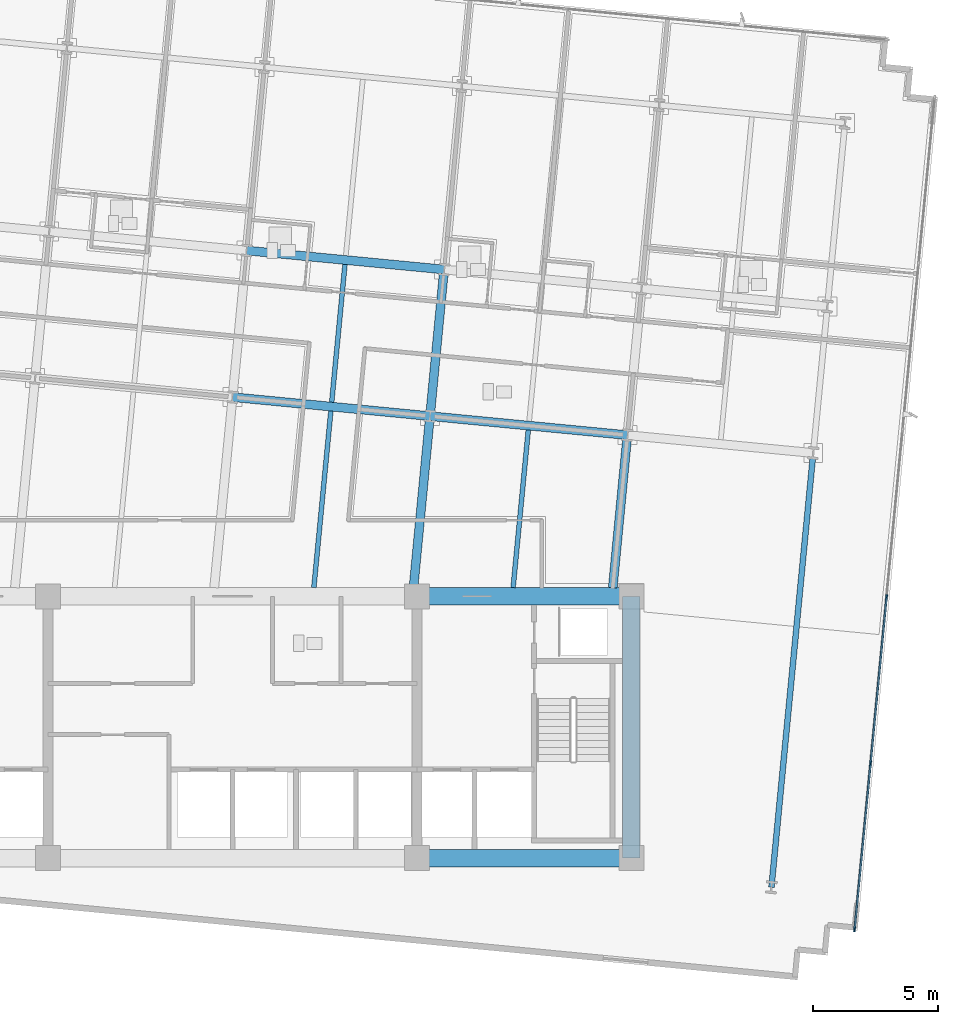
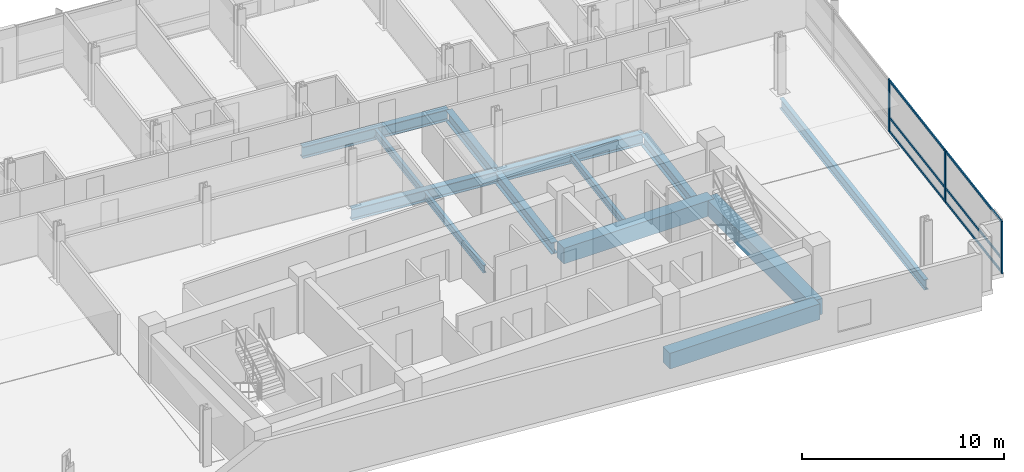
# One storey, part 5 of 17: 13 beams, 9 members, 1 element without a shape of its own.
"""IFC4 building model written with IfcOpenShell, lengths in metres."""

from ifc_helpers import new_model, si_unit, direction, frame, origin, origin_2d, place, context, subcontext, project, spatial, rectangle, i_section, extrude, material, material_profile, profile_set, type_object, element, aggregate, save


model = new_model("IFC4")

# Units and contexts
model_context = context("Model", 3, precision=1e-05, world=origin(), true_north=direction((0.0, 1.0)))
body_context = subcontext(model_context, "Body", "Model", "MODEL_VIEW")
ifc_project = project(units=[si_unit("LENGTHUNIT", "METRE"), si_unit("AREAUNIT", "SQUARE_METRE"), si_unit("VOLUMEUNIT", "CUBIC_METRE"), si_unit("PLANEANGLEUNIT", "RADIAN"), si_unit("MASSUNIT", "GRAM", prefix="KILO")], contexts=[model_context])

# Site, building, storey
site_placement = place(None, origin())
site = spatial("IfcSite", under=ifc_project, at=site_placement, CompositionType="ELEMENT")
building_placement = place(site_placement, origin())
building = spatial("IfcBuilding", under=site, at=building_placement, Name="Solmavex Isthmus Hotel", CompositionType="ELEMENT")
storey_placement = place(building_placement, frame((0.0, 0.0, 146.25)))
storey = spatial("IfcBuildingStorey", under=building, at=storey_placement, Name="L39", CompositionType="ELEMENT", Elevation=146.25)

# Beams
ifc_material_1 = material(Name="Steel ASTM A992 Grade 50", Category="steel")
ifc_material_profile_1 = material_profile(ifc_material_1, i_section(OverallWidth=0.354736328125, OverallDepth=0.695556640625, WebThickness=0.015380859375, FlangeThickness=0.02490234375, FilletRadius=0.017822265625, at=origin_2d()), Name="W27X146")
ifc_profile_set_1 = profile_set([ifc_material_profile_1], Name="Steel ASTM A992 Grade 50")
beam_type_1 = type_object("IfcBeamType", Name="BM-BG-W27X146", PredefinedType="BEAM", material=ifc_profile_set_1)
for number, where, z_axis, x_axis, name in (
    (1, (0.001220703125, 5.490234375, -0.607666015625), (0.995397440011, -0.095832856685, 0.0), (0.095832856685, 0.995397440011, 0.0), "Floor Girder L39-UG06"),
    (2, (7.920654296875, 4.727783203125, -0.607666015625), (0.995397440011, -0.095832856685, 0.0), (0.095832856685, 0.995397440011, 0.0), "Floor Girder L39-UG07"),
):
    element("IfcBeam", number, at=place(storey_placement, frame(where, z_axis=z_axis, x_axis=x_axis)), inside=storey, type_object=beam_type_1, Name=name, PredefinedType="BEAM", context=body_context, shape_type="SweptSolid", body=[
        extrude(i_section(OverallWidth=0.354736328125, OverallDepth=0.695556640625, WebThickness=0.015380859375, FlangeThickness=0.02490234375, FilletRadius=0.017822265625, at=origin_2d()), origin(), (0.0, 0.0, 1.0), 7.9560546875),
    ])
beam_1_placement = place(storey_placement, frame((0.567626953125, 11.37109375, -0.607666015625), z_axis=(0.995397158178, -0.095835783981, 0.0), x_axis=(0.095835783981, 0.995397158178, 0.0)))
element("IfcBeam", 3, at=beam_1_placement, inside=storey, type_object=beam_type_1, Name="Floor Girder L39-UG12", PredefinedType="BEAM", context=body_context, shape_type="SweptSolid", body=[
    extrude(i_section(OverallWidth=0.354736328125, OverallDepth=0.695556640625, WebThickness=0.015380859375, FlangeThickness=0.02490234375, FilletRadius=0.017822265625, at=origin_2d()), origin(), (0.0, 0.0, 1.0), 7.955810546875),
])
beam_2_placement = place(storey_placement, frame((7.25830078125, -2.14990234375, -0.607666015625), z_axis=(0.095847843924, 0.995395996986, 0.0), x_axis=(-0.995395996986, 0.095847843924, 0.0)))
element("IfcBeam", 4, at=beam_2_placement, inside=storey, type_object=beam_type_1, Name="Floor Beam L39-VG33", PredefinedType="BEAM", context=body_context, shape_type="SweptSolid", body=[
    extrude(i_section(OverallWidth=0.354736328125, OverallDepth=0.695556640625, WebThickness=0.015380859375, FlangeThickness=0.02490234375, FilletRadius=0.017822265625, at=origin_2d()), origin(), (0.0, 0.0, 1.0), 6.732177734375),
])
beam_3_placement = place(storey_placement, frame((7.937744140625, 4.904296875, -0.607666015625), z_axis=(0.095842252862, 0.99539653534, 0.0), x_axis=(-0.99539653534, 0.095842252862, 0.0)))
element("IfcBeam", 5, at=beam_3_placement, inside=storey, type_object=beam_type_1, Name="Floor Beam L39-VG34", PredefinedType="BEAM", context=body_context, shape_type="SweptSolid", body=[
    extrude(i_section(OverallWidth=0.354736328125, OverallDepth=0.695556640625, WebThickness=0.015380859375, FlangeThickness=0.02490234375, FilletRadius=0.017822265625, at=origin_2d()), origin(), (0.0, 0.0, 1.0), 5.55322265625),
])
beam_4_placement = place(storey_placement, frame((15.251220703125, -2.14990234375, -0.607666015625), z_axis=(0.095840286514, 0.995396724669, 0.0), x_axis=(-0.995396724669, 0.095840286514, 0.0)))
element("IfcBeam", 6, at=beam_4_placement, inside=storey, type_object=beam_type_1, Name="Floor Beam L39-VG36", PredefinedType="BEAM", context=body_context, shape_type="SweptSolid", body=[
    extrude(i_section(OverallWidth=0.354736328125, OverallDepth=0.695556640625, WebThickness=0.015380859375, FlangeThickness=0.02490234375, FilletRadius=0.017822265625, at=origin_2d()), origin(), (0.0, 0.0, 1.0), 5.9658203125),
])
ifc_material_profile_2 = material_profile(ifc_material_1, i_section(OverallWidth=0.1904296875, OverallDepth=0.456787109375, WebThickness=0.009033203125, FlangeThickness=0.014404296875, FilletRadius=0.0126953125, at=origin_2d()), Name="W18X50")
ifc_profile_set_2 = profile_set([ifc_material_profile_2], Name="Steel ASTM A992 Grade 50")
beam_type_2 = type_object("IfcBeamType", Name="BM-BJ-W18X50", PredefinedType="JOIST", material=ifc_profile_set_2)
beam_5_placement = place(storey_placement, frame((3.261962890625, -2.14990234375, -0.488525390625), z_axis=(0.095837287001, 0.995397013468, 0.0), x_axis=(-0.995397013468, 0.095837287001, 0.0)))
element("IfcBeam", 7, at=beam_5_placement, inside=storey, type_object=beam_type_2, Name="Secondary Floor Joist L39-J10", PredefinedType="JOIST", context=body_context, shape_type="SweptSolid", body=[
    extrude(i_section(OverallWidth=0.1904296875, OverallDepth=0.456787109375, WebThickness=0.009033203125, FlangeThickness=0.014404296875, FilletRadius=0.0126953125, at=origin_2d()), origin(), (0.0, 0.0, 1.0), 7.114990234375),
])
beam_6_placement = place(storey_placement, frame((3.97802734375, 5.28564453125, -0.488525390625), z_axis=(0.095842252862, 0.99539653534, 0.0), x_axis=(-0.99539653534, 0.095842252862, 0.0)))
element("IfcBeam", 8, at=beam_6_placement, inside=storey, type_object=beam_type_2, Name="Secondary Floor Joist L39-J11", PredefinedType="JOIST", context=body_context, shape_type="SweptSolid", body=[
    extrude(i_section(OverallWidth=0.1904296875, OverallDepth=0.456787109375, WebThickness=0.009033203125, FlangeThickness=0.014404296875, FilletRadius=0.0126953125, at=origin_2d()), origin(), (0.0, 0.0, 1.0), 5.55322265625),
])
beam_7_placement = place(storey_placement, frame((11.2548828125, -2.14990234375, -0.488525390625), z_axis=(0.095825243261, 0.995398172971, 0.0), x_axis=(-0.995398172971, 0.095825243261, 0.0)))
element("IfcBeam", 9, at=beam_7_placement, inside=storey, type_object=beam_type_2, Name="Secondary Floor Joist L39-J13", PredefinedType="JOIST", context=body_context, shape_type="SweptSolid", body=[
    extrude(i_section(OverallWidth=0.1904296875, OverallDepth=0.456787109375, WebThickness=0.009033203125, FlangeThickness=0.014404296875, FilletRadius=0.0126953125, at=origin_2d()), origin(), (0.0, 0.0, 1.0), 6.34912109375),
])
ifc_material_2 = material(Name="Concrete C60/75", Category="concrete")
ifc_material_profile_3 = material_profile(ifc_material_2, rectangle(XDim=0.699951171875, YDim=0.949951171875, at=origin_2d()), Name="RC700X950")
ifc_profile_set_3 = profile_set([ifc_material_profile_3], Name="Concrete C60/75")
beam_type_3 = type_object("IfcBeamType", Name="BM-CB-700X950", PredefinedType="BEAM", material=ifc_profile_set_3)
for number, where, z_axis, x_axis, name in (
    (10, (7.39990234375, -13.0, -0.735107421875), (1.0, 0.0, 0.0), (0.0, 1.0, 0.0), "Core Coupling Beam L39-CB3"),
    (11, (7.39990234375, -2.5, -0.735107421875), (1.0, 0.0, 0.0), (0.0, 1.0, 0.0), "Core Coupling Beam L39-CB6"),
):
    element("IfcBeam", number, at=place(storey_placement, frame(where, z_axis=z_axis, x_axis=x_axis)), inside=storey, type_object=beam_type_3, Name=name, PredefinedType="BEAM", context=body_context, shape_type="SweptSolid", body=[
        extrude(rectangle(XDim=0.699951171875, YDim=0.949951171875, at=origin_2d()), origin(), (0.0, 0.0, 1.0), 8.60009765625),
    ])
beam_8_placement = place(storey_placement, frame((16.0, -13.0, -0.735107421875), z_axis=(0.0, 1.0, 0.0), x_axis=(-1.0, 0.0, 0.0)))
element("IfcBeam", 12, at=beam_8_placement, inside=storey, type_object=beam_type_3, Name="Core Coupling Beam L39-CB8", PredefinedType="BEAM", context=body_context, shape_type="SweptSolid", body=[
    extrude(rectangle(XDim=0.699951171875, YDim=0.949951171875, at=origin_2d()), origin(), (0.0, 0.0, 1.0), 10.5),
])
ifc_material_profile_4 = material_profile(ifc_material_1, i_section(OverallWidth=0.230224609375, OverallDepth=0.617431640625, WebThickness=0.01318359375, FlangeThickness=0.022216796875, FilletRadius=0.01513671875, at=origin_2d()), Name="W24X94")
ifc_profile_set_4 = profile_set([ifc_material_profile_4], Name="Steel ASTM A992 Grade 50")
beam_type_4 = type_object("IfcBeamType", Name="BM-SP-W24X94", PredefinedType="SPANDREL", material=ifc_profile_set_4)
beam_9_placement = place(storey_placement, frame((21.6162109375, -14.171875, -0.56884765625), z_axis=(0.095851245948, 0.995395669395, 0.0), x_axis=(-0.995395669395, 0.095851245948, 0.0)))
element("IfcBeam", 13, at=beam_9_placement, inside=storey, type_object=beam_type_4, Name="Floor Beam L39-VG39", PredefinedType="SPANDREL", context=body_context, shape_type="SweptSolid", body=[
    extrude(i_section(OverallWidth=0.230224609375, OverallDepth=0.617431640625, WebThickness=0.01318359375, FlangeThickness=0.022216796875, FilletRadius=0.01513671875, at=origin_2d()), origin(), (0.0, 0.0, 1.0), 17.32275390625),
])

# Curtain wall, members
ifc_material_3 = material(Name="Aluminium alloy 6063-T6", Category="aluminium")
curtain_wall_type = type_object("IfcCurtainWallType", Name="CW-SYS-03", PredefinedType="NOTDEFINED", material=ifc_material_3)
curtain_wall_placement = place(storey_placement, origin())
curtain_wall = element("IfcCurtainWall", 14, at=curtain_wall_placement, inside=storey, type_object=curtain_wall_type, Name="Stick Curtain Wall CWL-L39-E1", PredefinedType="NOTDEFINED")
ifc_material_profile_5 = material_profile(ifc_material_3, rectangle(XDim=0.070068359375, YDim=0.179931640625, at=origin_2d()), Name="CWM-70X180")
ifc_profile_set_5 = profile_set([ifc_material_profile_5], Name="Aluminium alloy 6063-T6")
member_type_1 = type_object("IfcMemberType", Name="CW-SYS-03-MUL", PredefinedType="MULLION", material=ifc_profile_set_5)
member_1_placement = place(storey_placement, frame((24.949462890625, -15.8642578125, 0.0), z_axis=(0.0, 0.0, 1.0), x_axis=(-0.995396190038, 0.09584583902, 0.0)))
member_1 = element("IfcMember", 15, at=member_1_placement, type_object=member_type_1, Name="CW-03 mullion 1", PredefinedType="MULLION", context=body_context, shape_type="SweptSolid", body=[
    extrude(rectangle(XDim=0.070068359375, YDim=0.179931640625, at=origin_2d()), origin(), (0.0, 0.0, 1.0), 3.18994140625),
])
member_2_placement = place(storey_placement, frame((25.590087890625, -9.2099609375, 0.0), z_axis=(0.0, 0.0, 1.0), x_axis=(-0.995396190038, 0.09584583902, 0.0)))
member_2 = element("IfcMember", 16, at=member_2_placement, type_object=member_type_1, Name="CW-03 mullion 2", PredefinedType="MULLION", context=body_context, shape_type="SweptSolid", body=[
    extrude(rectangle(XDim=0.070068359375, YDim=0.179931640625, at=origin_2d()), origin(), (0.0, 0.0, 1.0), 3.18994140625),
])
member_3_placement = place(storey_placement, frame((26.234130859375, -2.520751953125, 0.0), z_axis=(0.0, 0.0, 1.0), x_axis=(-0.995396190038, 0.09584583902, 0.0)))
member_3 = element("IfcMember", 17, at=member_3_placement, type_object=member_type_1, Name="CW-03 mullion 3", PredefinedType="MULLION", context=body_context, shape_type="SweptSolid", body=[
    extrude(rectangle(XDim=0.070068359375, YDim=0.179931640625, at=origin_2d()), origin(), (0.0, 0.0, 1.0), 3.18994140625),
])
ifc_material_profile_6 = material_profile(ifc_material_3, rectangle(XDim=0.070068359375, YDim=0.139892578125, at=origin_2d()), Name="CWT-70X140")
ifc_profile_set_6 = profile_set([ifc_material_profile_6], Name="Aluminium alloy 6063-T6")
member_type_2 = type_object("IfcMemberType", Name="CW-SYS-03-TRN", PredefinedType="USERDEFINED", material=ifc_profile_set_6)
member_4_placement = place(storey_placement, frame((24.95263671875, -15.829345703125, 0.070068359375), z_axis=(0.095848837806, 0.995395901283, 0.0), x_axis=(-0.995395901283, 0.095848837806, 0.0)))
member_4 = element("IfcMember", 18, at=member_4_placement, type_object=member_type_2, Name="CW-03 transom 1.1", ObjectType="TRANSOM", PredefinedType="USERDEFINED", context=body_context, shape_type="SweptSolid", body=[
    extrude(rectangle(XDim=0.070068359375, YDim=0.139892578125, at=origin_2d()), origin(), (0.0, 0.0, 1.0), 6.614990234375),
])
member_5_placement = place(storey_placement, frame((24.95263671875, -15.829345703125, 0.89990234375), z_axis=(0.095848837806, 0.995395901283, 0.0), x_axis=(-0.995395901283, 0.095848837806, 0.0)))
member_5 = element("IfcMember", 19, at=member_5_placement, type_object=member_type_2, Name="CW-03 transom 1.2", ObjectType="TRANSOM", PredefinedType="USERDEFINED", context=body_context, shape_type="SweptSolid", body=[
    extrude(rectangle(XDim=0.070068359375, YDim=0.139892578125, at=origin_2d()), origin(), (0.0, 0.0, 1.0), 6.614990234375),
])
member_6_placement = place(storey_placement, frame((24.95263671875, -15.829345703125, 3.1201171875), z_axis=(0.095848837806, 0.995395901283, 0.0), x_axis=(-0.995395901283, 0.095848837806, 0.0)))
member_6 = element("IfcMember", 20, at=member_6_placement, type_object=member_type_2, Name="CW-03 transom 1.3", ObjectType="TRANSOM", PredefinedType="USERDEFINED", context=body_context, shape_type="SweptSolid", body=[
    extrude(rectangle(XDim=0.070068359375, YDim=0.139892578125, at=origin_2d()), origin(), (0.0, 0.0, 1.0), 6.614990234375),
])
member_7_placement = place(storey_placement, frame((25.593505859375, -9.175048828125, 0.070068359375), z_axis=(0.095857212138, 0.995395094865, 0.0), x_axis=(-0.995395094865, 0.095857212138, 0.0)))
member_7 = element("IfcMember", 21, at=member_7_placement, type_object=member_type_2, Name="CW-03 transom 2.1", ObjectType="TRANSOM", PredefinedType="USERDEFINED", context=body_context, shape_type="SweptSolid", body=[
    extrude(rectangle(XDim=0.070068359375, YDim=0.139892578125, at=origin_2d()), origin(), (0.0, 0.0, 1.0), 6.64990234375),
])
member_8_placement = place(storey_placement, frame((25.593505859375, -9.175048828125, 0.89990234375), z_axis=(0.095857212138, 0.995395094865, 0.0), x_axis=(-0.995395094865, 0.095857212138, 0.0)))
member_8 = element("IfcMember", 22, at=member_8_placement, type_object=member_type_2, Name="CW-03 transom 2.2", ObjectType="TRANSOM", PredefinedType="USERDEFINED", context=body_context, shape_type="SweptSolid", body=[
    extrude(rectangle(XDim=0.070068359375, YDim=0.139892578125, at=origin_2d()), origin(), (0.0, 0.0, 1.0), 6.64990234375),
])
member_9_placement = place(storey_placement, frame((25.593505859375, -9.175048828125, 3.1201171875), z_axis=(0.095857212138, 0.995395094865, 0.0), x_axis=(-0.995395094865, 0.095857212138, 0.0)))
member_9 = element("IfcMember", 23, at=member_9_placement, type_object=member_type_2, Name="CW-03 transom 2.3", ObjectType="TRANSOM", PredefinedType="USERDEFINED", context=body_context, shape_type="SweptSolid", body=[
    extrude(rectangle(XDim=0.070068359375, YDim=0.139892578125, at=origin_2d()), origin(), (0.0, 0.0, 1.0), 6.64990234375),
])
aggregate(curtain_wall, [member_1, member_2, member_3, member_4, member_5, member_6, member_7, member_8, member_9])

save(model, "model.ifc")
